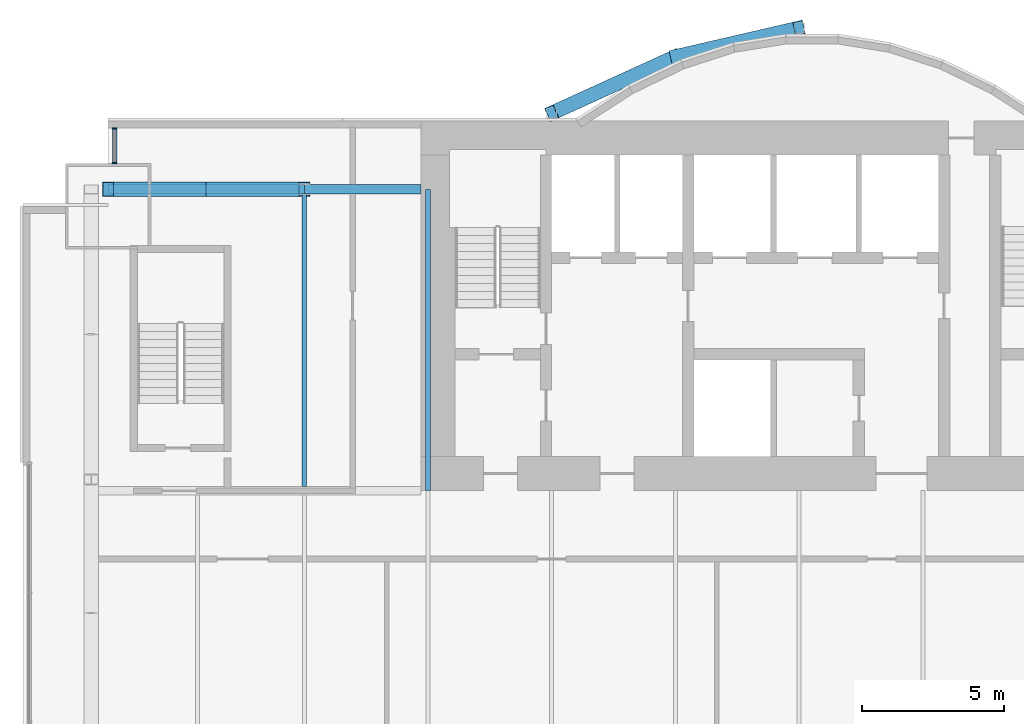
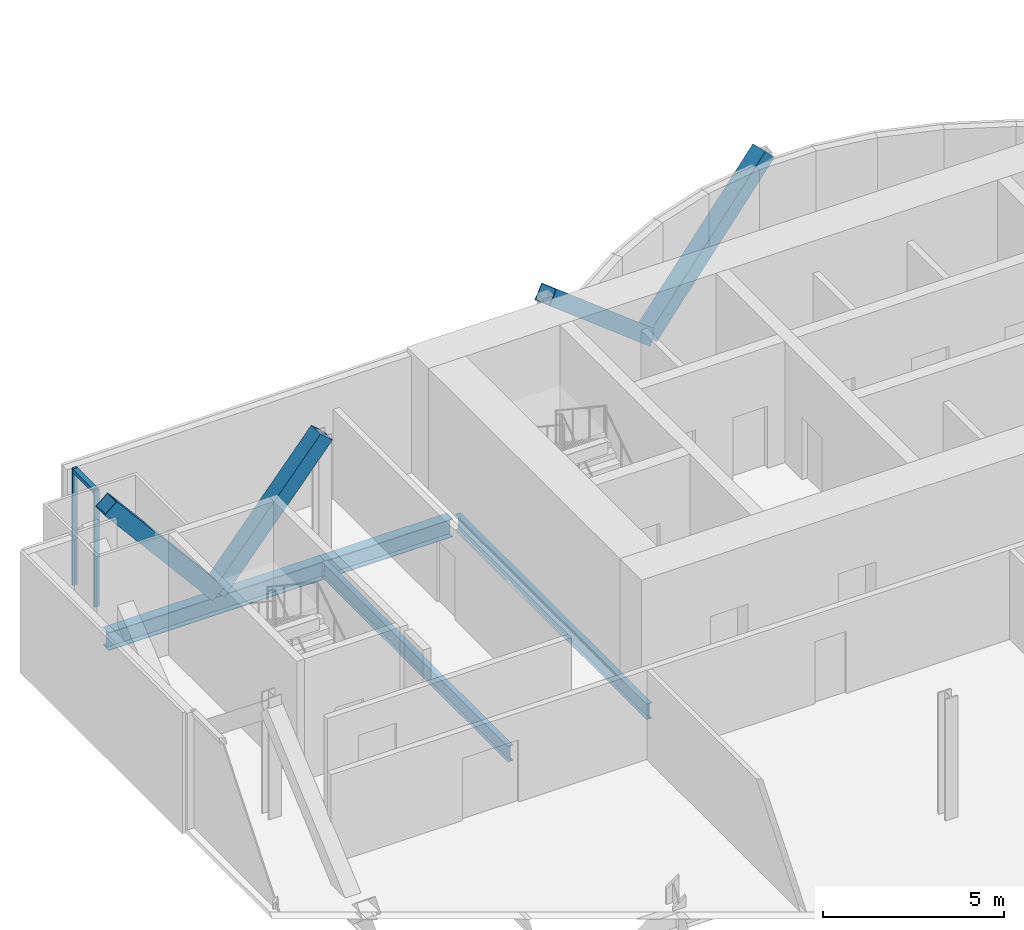
# One storey, part 10 of 21: 7 members, 4 beams, 1 element without a shape of its own.
"""IFC4 building model written with IfcOpenShell, lengths in metres."""

from ifc_helpers import new_model, si_unit, direction, frame, origin, origin_2d, place, context, subcontext, project, spatial, rectangle, hollow_rectangle, i_section, extrude, material, material_profile, profile_set, type_object, element, aggregate, save


model = new_model("IFC4")

# Units and contexts
model_context = context("Model", 3, precision=1e-05, world=origin(), true_north=direction((0.0, 1.0)))
body_context = subcontext(model_context, "Body", "Model", "MODEL_VIEW")
ifc_project = project(units=[si_unit("LENGTHUNIT", "METRE"), si_unit("AREAUNIT", "SQUARE_METRE"), si_unit("VOLUMEUNIT", "CUBIC_METRE"), si_unit("PLANEANGLEUNIT", "RADIAN"), si_unit("MASSUNIT", "GRAM", prefix="KILO")], contexts=[model_context])

# Site, building, storey
site_placement = place(None, origin())
site = spatial("IfcSite", under=ifc_project, at=site_placement, CompositionType="ELEMENT")
building_placement = place(site_placement, origin())
building = spatial("IfcBuilding", under=site, at=building_placement, Name="Bicima Exchange Tower", CompositionType="ELEMENT")
storey_placement = place(building_placement, frame((0.0, 0.0, 106.300048828125)))
storey = spatial("IfcBuildingStorey", under=building, at=storey_placement, Name="L22", CompositionType="ELEMENT", Elevation=106.300048828125)

# Beams
ifc_material_1 = material(Name="Steel ASTM A992 Gr 50", Category="steel")
ifc_material_profile_1 = material_profile(ifc_material_1, i_section(OverallWidth=0.165771484375, OverallDepth=0.5283203125, WebThickness=0.009765625, FlangeThickness=0.013671875, at=origin_2d()))
ifc_profile_set_1 = profile_set([ifc_material_profile_1], Name="Steel ASTM A992 Gr 50")
beam_type_1 = type_object("IfcBeamType", Name="Floor beam W21x50", PredefinedType="JOIST", material=ifc_profile_set_1)
beam_1_placement = place(storey_placement, frame((-26.10009765625, -2.5625, -0.414306640625), z_axis=(0.0, -1.0, 0.0), x_axis=(1.0, 0.0, 0.0)))
element("IfcBeam", 1, at=beam_1_placement, inside=storey, type_object=beam_type_1, Name="Floor beam", PredefinedType="JOIST", context=body_context, shape_type="SweptSolid", body=[
    extrude(i_section(OverallWidth=0.165771484375, OverallDepth=0.5283203125, WebThickness=0.009765625, FlangeThickness=0.013671875, at=origin_2d()), origin(), (0.0, 0.0, 1.0), 10.28515625),
])
beam_2_placement = place(storey_placement, frame((-21.75, -2.39990234375, -0.414306640625), z_axis=(0.0, -1.0, 0.0), x_axis=(1.0, 0.0, 0.0)))
element("IfcBeam", 2, at=beam_2_placement, inside=storey, type_object=beam_type_1, Name="Floor beam", PredefinedType="JOIST", context=body_context, shape_type="SweptSolid", body=[
    extrude(i_section(OverallWidth=0.165771484375, OverallDepth=0.5283203125, WebThickness=0.009765625, FlangeThickness=0.013671875, at=origin_2d()), origin(), (0.0, 0.0, 1.0), 10.60009765625),
])

# Curtain wall, members
ifc_material_2 = material(Name="Anodised bronze aluminium", Category="aluminium")
curtain_wall_type = type_object("IfcCurtainWallType", Name="Front glass wall", PredefinedType="NOTDEFINED", material=ifc_material_2)
curtain_wall_placement = place(storey_placement, origin())
curtain_wall = element("IfcCurtainWall", 3, at=curtain_wall_placement, inside=storey, type_object=curtain_wall_type, Name="Front glass wall L22 run 1", PredefinedType="NOTDEFINED")
ifc_material_profile_2 = material_profile(ifc_material_2, rectangle(XDim=0.159912109375, YDim=0.06005859375, at=origin_2d()))
ifc_profile_set_2 = profile_set([ifc_material_profile_2], Name="Anodised bronze aluminium")
member_type_1 = type_object("IfcMemberType", Name="Front glass wall mullion 60 x 160", PredefinedType="MULLION", material=ifc_profile_set_2)
member_1_placement = place(storey_placement, frame((-32.77001953125, -0.260009765625, 0.0), z_axis=(0.0, 0.0, 1.0), x_axis=(1.0, 0.0, 0.0)))
member_1 = element("IfcMember", 4, at=member_1_placement, type_object=member_type_1, Name="Front glass wall mullion 1", PredefinedType="MULLION", context=body_context, shape_type="SweptSolid", body=[
    extrude(rectangle(XDim=0.159912109375, YDim=0.06005859375, at=origin_2d()), origin(), (0.0, 0.0, 1.0), 3.949951171875),
])
member_2_placement = place(storey_placement, frame((-32.77001953125, -1.469970703125, 0.0), z_axis=(0.0, 0.0, 1.0), x_axis=(1.0, 0.0, 0.0)))
member_2 = element("IfcMember", 5, at=member_2_placement, type_object=member_type_1, Name="Front glass wall mullion 2", PredefinedType="MULLION", context=body_context, shape_type="SweptSolid", body=[
    extrude(rectangle(XDim=0.159912109375, YDim=0.06005859375, at=origin_2d()), origin(), (0.0, 0.0, 1.0), 3.949951171875),
])
ifc_material_profile_3 = material_profile(ifc_material_2, rectangle(XDim=0.159912109375, YDim=0.139892578125, at=origin_2d()))
ifc_profile_set_3 = profile_set([ifc_material_profile_3], Name="Anodised bronze aluminium")
member_type_2 = type_object("IfcMemberType", Name="Front glass wall transom 140 x 160", PredefinedType="USERDEFINED", material=ifc_profile_set_3)
member_3_placement = place(storey_placement, frame((-32.77001953125, -0.2900390625, 3.8798828125), z_axis=(0.0, -1.0, 0.0), x_axis=(1.0, 0.0, 0.0)))
member_3 = element("IfcMember", 6, at=member_3_placement, type_object=member_type_2, Name="Front glass wall transom 1.1", ObjectType="TRANSOM", PredefinedType="USERDEFINED", context=body_context, shape_type="SweptSolid", body=[
    extrude(rectangle(XDim=0.159912109375, YDim=0.139892578125, at=origin_2d()), origin(), (0.0, 0.0, 1.0), 1.14990234375),
])
aggregate(curtain_wall, [member_1, member_2, member_3])

# Members
ifc_material_3 = material(Name="Steel ASTM A572 Gr 50", Category="steel")
ifc_material_profile_4 = material_profile(ifc_material_3, hollow_rectangle(XDim=0.508056640625, YDim=0.508056640625, WallThickness=0.0146484375, at=origin_2d()))
ifc_profile_set_4 = profile_set([ifc_material_profile_4], Name="Steel ASTM A572 Gr 50")
member_type_3 = type_object("IfcMemberType", Name="Mega brace HSS20x20x5/8", PredefinedType="BRACE", material=ifc_profile_set_4)
member_4_placement = place(storey_placement, frame((-13.050048828125, 2.262451171875, 0.0), z_axis=(0.717625168184, 0.166055032463, 0.676342993002), x_axis=(-0.225438503722, 0.974257399787, 0.0)))
element("IfcMember", 7, at=member_4_placement, inside=storey, type_object=member_type_3, Name="Mega brace rexo", PredefinedType="BRACE", context=body_context, shape_type="SweptSolid", body=[
    extrude(hollow_rectangle(XDim=0.508056640625, YDim=0.508056640625, WallThickness=0.0146484375, at=origin_2d()), origin(), (0.0, 0.0, 1.0), 6.061767578125),
])
member_5_placement = place(storey_placement, frame((-13.050048828125, 2.262451171875, 0.0), z_axis=(-0.690646390594, -0.3150684101, 0.650952732629), x_axis=(0.415045223819, -0.909800781592, 0.0)))
element("IfcMember", 8, at=member_5_placement, inside=storey, type_object=member_type_3, Name="Mega brace rexo", PredefinedType="BRACE", context=body_context, shape_type="SweptSolid", body=[
    extrude(hollow_rectangle(XDim=0.508056640625, YDim=0.508056640625, WallThickness=0.0146484375, at=origin_2d()), origin(), (0.0, 0.0, 1.0), 6.29833984375),
])
for number, where, z_axis, x_axis, name in (
    (9, (-29.550048828125, -2.39990234375, 0.0), (0.643856488545, 0.0, 0.765146275008), (0.0, 1.0, 0.0), "Mega brace rear"),
    (10, (-29.550048828125, -2.39990234375, 0.0), (-0.643856488545, 0.0, 0.765146275008), (0.0, -1.0, 0.0), "Mega brace rear"),
):
    element("IfcMember", number, at=place(storey_placement, frame(where, z_axis=z_axis, x_axis=x_axis)), inside=storey, type_object=member_type_3, Name=name, PredefinedType="BRACE", context=body_context, shape_type="SweptSolid", body=[
        extrude(hollow_rectangle(XDim=0.508056640625, YDim=0.508056640625, WallThickness=0.0146484375, at=origin_2d()), origin(), (0.0, 0.0, 1.0), 5.358154296875),
    ])

# Beams
ifc_material_profile_5 = material_profile(ifc_material_1, i_section(OverallWidth=0.3251953125, OverallDepth=0.612060546875, WebThickness=0.0126953125, FlangeThickness=0.01904296875, at=origin_2d()))
ifc_profile_set_5 = profile_set([ifc_material_profile_5], Name="Steel ASTM A992 Gr 50")
beam_type_2 = type_object("IfcBeamType", Name="Rear girder W24x104", PredefinedType="BEAM", material=ifc_profile_set_5)
beam_3_placement = place(storey_placement, frame((-22.0, -2.39990234375, -0.4560546875), z_axis=(-1.0, 0.0, 0.0), x_axis=(0.0, -1.0, 0.0)))
element("IfcBeam", 11, at=beam_3_placement, inside=storey, type_object=beam_type_2, Name="Rear girder", PredefinedType="BEAM", context=body_context, shape_type="SweptSolid", body=[
    extrude(i_section(OverallWidth=0.3251953125, OverallDepth=0.612060546875, WebThickness=0.0126953125, FlangeThickness=0.01904296875, at=origin_2d()), origin(), (0.0, 0.0, 1.0), 4.10009765625),
])
beam_4_placement = place(storey_placement, frame((-26.10009765625, -2.39990234375, -0.4560546875), z_axis=(-1.0, 0.0, 0.0), x_axis=(0.0, -1.0, 0.0)))
element("IfcBeam", 12, at=beam_4_placement, inside=storey, type_object=beam_type_2, Name="Rear girder", PredefinedType="BEAM", context=body_context, shape_type="SweptSolid", body=[
    extrude(i_section(OverallWidth=0.3251953125, OverallDepth=0.612060546875, WebThickness=0.0126953125, FlangeThickness=0.01904296875, at=origin_2d()), origin(), (0.0, 0.0, 1.0), 6.89990234375),
])

save(model, "model.ifc")
